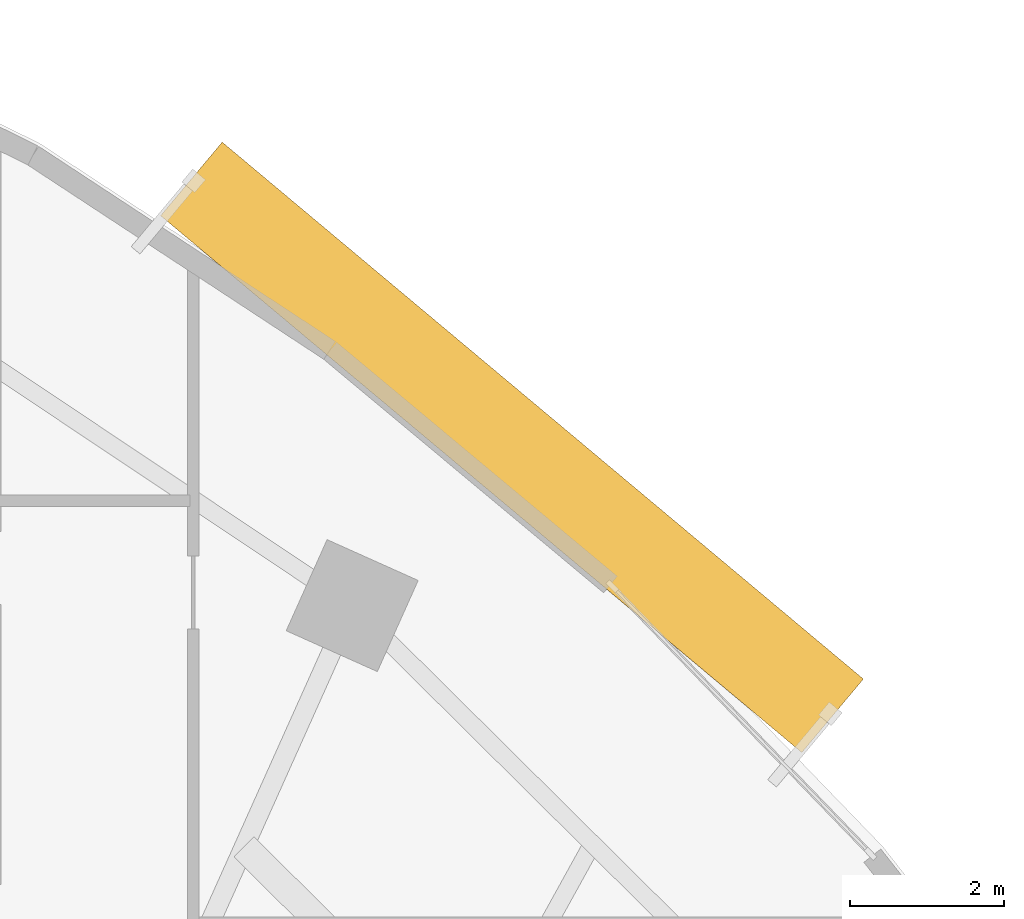
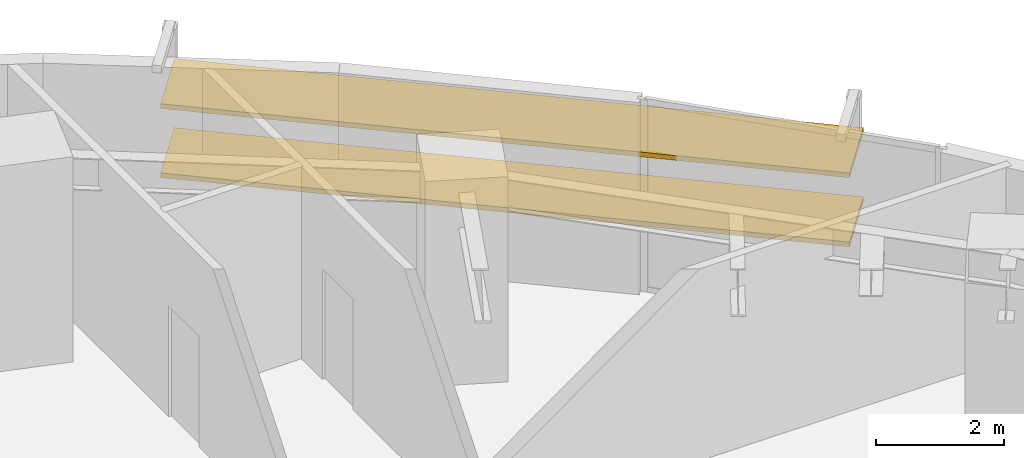
# One storey, part 14 of 14: 2 shading devices.
"""IFC4 building model written with IfcOpenShell, lengths in metres."""

from ifc_helpers import new_model, si_unit, direction, frame, origin, origin_2d, place, context, subcontext, project, spatial, rectangle, extrude, source, transform, mapped, material, material_profile, profile_set, type_object, element, save


model = new_model("IFC4")

# Units and contexts
model_context = context("Model", 3, precision=1e-05, world=origin(), true_north=direction((0.0, 1.0)))
body_context = subcontext(model_context, "Body", "Model", "MODEL_VIEW")
ifc_project = project(units=[si_unit("LENGTHUNIT", "METRE"), si_unit("AREAUNIT", "SQUARE_METRE"), si_unit("VOLUMEUNIT", "CUBIC_METRE"), si_unit("PLANEANGLEUNIT", "RADIAN"), si_unit("MASSUNIT", "GRAM", prefix="KILO")], contexts=[model_context])

# Site, building, storey
site_placement = place(None, origin())
site = spatial("IfcSite", under=ifc_project, at=site_placement, CompositionType="ELEMENT")
building_placement = place(site_placement, origin())
building = spatial("IfcBuilding", under=site, at=building_placement, Name="Breltana Convention Tower", CompositionType="ELEMENT")
storey_placement = place(building_placement, frame((0.0, 0.0, 103.800048828125)))
storey = spatial("IfcBuildingStorey", under=building, at=storey_placement, Name="L24", CompositionType="ELEMENT", Elevation=103.800048828125)

# Shading devices
ifc_material = material(Name="Limestone Warm Buff Honed", Category="masonry")
ifc_material_profile = material_profile(ifc_material, rectangle(XDim=1.25, YDim=0.090087890625, at=origin_2d()), Name="STN-LVR-1250X90")
ifc_profile_set = profile_set([ifc_material_profile], Name="Limestone Warm Buff Honed")
shading_device_type = type_object("IfcShadingDeviceType", Name="SHD-OUTER-SKIN-LIMESTONE-1250", PredefinedType="JALOUSIE", material=ifc_profile_set)
shared_shape = source(origin(), body_context, "Body", "SweptSolid", [
    extrude(rectangle(XDim=1.25, YDim=0.090087890625, at=origin_2d()), origin(), (0.0, 0.0, 1.0), 10.892333984375),
])
for number, where, z_axis, x_axis, name in (
    (1, (66.81591796875, 74.190673828125, 1.31396484375), (0.766718160057, -0.641983849515, 0.0), (0.641983849515, 0.766718160057, 0.0), "L24 outer skin warm limestone louvre 2.1"),
    (2, (66.81591796875, 74.190673828125, 2.6279296875), (0.766718160057, -0.641983849515, 0.0), (0.641983849515, 0.766718160057, 0.0), "L24 outer skin warm limestone louvre 2.2"),
):
    element("IfcShadingDevice", number, at=place(storey_placement, frame(where, z_axis=z_axis, x_axis=x_axis)), inside=storey, type_object=shading_device_type, Name=name, PredefinedType="JALOUSIE", context=body_context, shape_type="MappedRepresentation", body=[
        mapped(shared_shape, transform((0.0, 0.0, 0.0), scale=1.0)),
    ])

save(model, "model.ifc")
